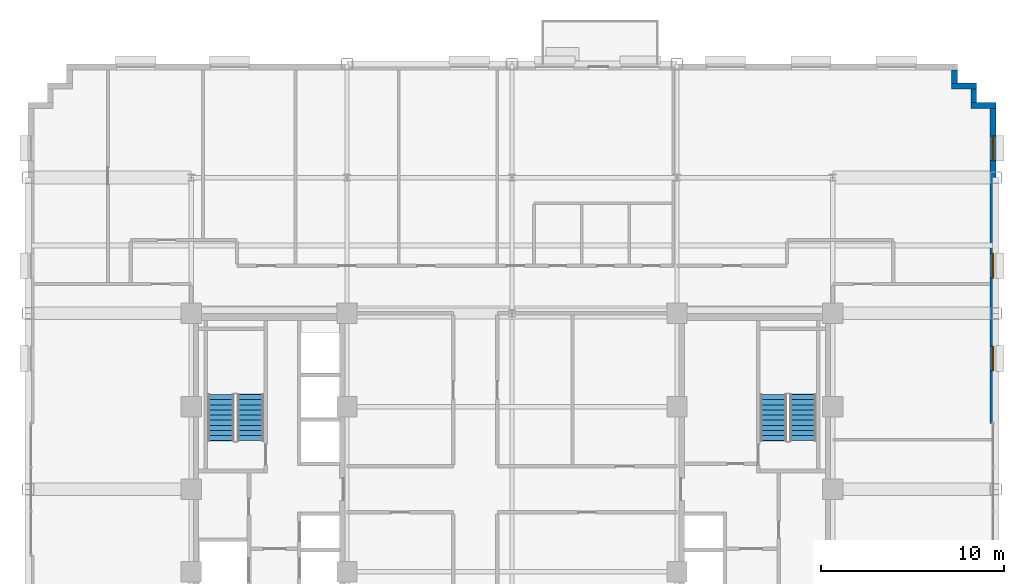
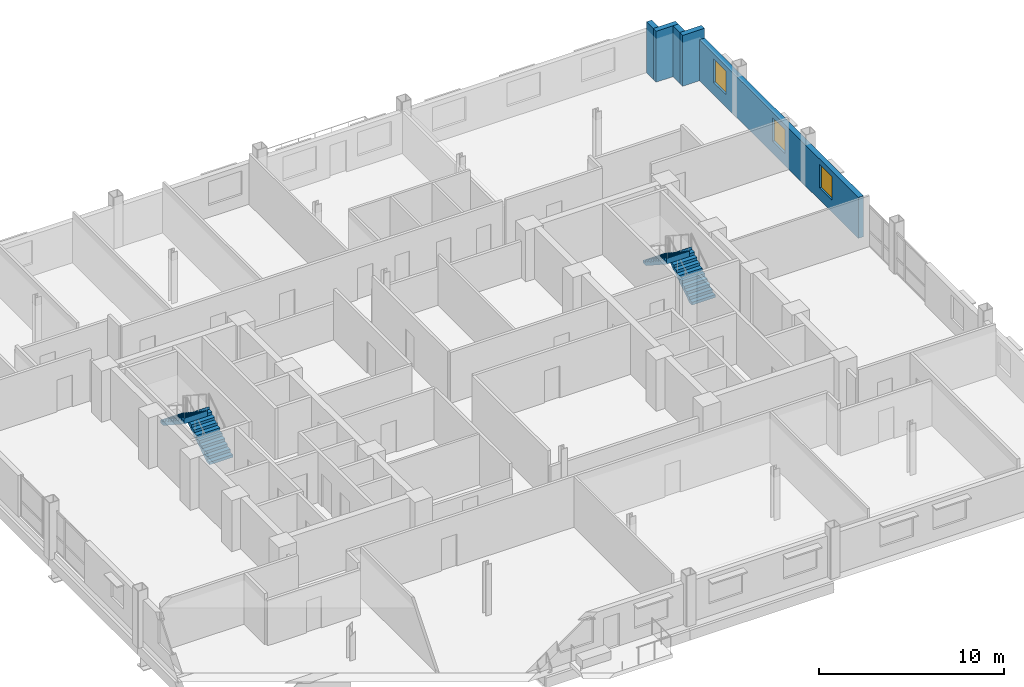
# One storey, part 10 of 16: 5 walls, 4 stair flights, 3 windows, 3 openings, 2 elements without a shape of their own.
"""IFC4 building model written with IfcOpenShell, lengths in metres."""

from ifc_helpers import new_model, si_unit, direction, frame, frame_2d, origin, place, context, subcontext, project, spatial, polyline, rectangle, outline, extrude, source, transform, mapped, material, layer, layer_set, type_object, type_shapes, element, fill, aggregate, save


model = new_model("IFC4")

# Units and contexts
model_context = context("Model", 3, precision=1e-05, world=origin(), true_north=direction((0.0, 1.0)))
body_context = subcontext(model_context, "Body", "Model", "MODEL_VIEW")
ifc_project = project(units=[si_unit("LENGTHUNIT", "METRE"), si_unit("AREAUNIT", "SQUARE_METRE"), si_unit("VOLUMEUNIT", "CUBIC_METRE"), si_unit("PLANEANGLEUNIT", "RADIAN"), si_unit("MASSUNIT", "GRAM", prefix="KILO")], contexts=[model_context])

# Site, building, storey
site_placement = place(None, origin())
site = spatial("IfcSite", under=ifc_project, at=site_placement, CompositionType="ELEMENT")
building_placement = place(site_placement, origin())
building = spatial("IfcBuilding", under=site, at=building_placement, Name="Nuvemarco Arch Tower", CompositionType="ELEMENT")
storey_placement = place(building_placement, frame((0.0, 0.0, 116.550048828125)))
storey = spatial("IfcBuildingStorey", under=building, at=storey_placement, Name="L30", CompositionType="ELEMENT", Elevation=116.550048828125)

# Wall, openings, windows
ifc_material_1 = material(Name="Precast concrete C45/55", Category="concrete")
ifc_layer = layer(ifc_material_1, 0.320068359375, Name="EW-MID-320")
ifc_layer_set = layer_set([ifc_layer], Name="Precast concrete C45/55")
wall_type = type_object("IfcWallType", Name="EW-MID-320", PredefinedType="STANDARD", material=ifc_layer_set)
wall_1_placement = place(storey_placement, frame((26.239990234375, 3.60009765625, 0.0), z_axis=(0.0, 0.0, 1.0), x_axis=(0.0, 1.0, 0.0)))
wall_1 = element("IfcWall", 1, at=wall_1_placement, inside=storey, type_object=wall_type, Name="L30 exterior precast pier wall east right", PredefinedType="STANDARD", context=body_context, shape_type="SweptSolid", body=[
    extrude(rectangle(XDim=17.183837890625, YDim=0.320068359375, at=frame_2d((8.591796875, 0.0))), origin(), (0.0, 0.0, 1.0), 2.704833984375),
])
opening_1_placement = place(wall_1_placement, frame((2.855712890625, 0.0, 0.800048828125)))
opening_1 = element("IfcOpeningElement", 2, at=opening_1_placement, cuts=wall_1, Name="Opening WN-6", PredefinedType="OPENING", context=body_context, shape_type="SweptSolid", body=[
    extrude(rectangle(XDim=1.35009765625, YDim=1.56005859375, at=frame_2d((0.675048828125, 0.780029296875))), frame((0.0, 0.169921875, 0.0), z_axis=(0.0, -1.0, 0.0), x_axis=(1.0, 0.0, 0.0)), (0.0, 0.0, 1.0), 0.340087890625),
])
opening_2_placement = place(wall_1_placement, frame((7.9169921875, 0.0, 0.800048828125)))
opening_2 = element("IfcOpeningElement", 3, at=opening_2_placement, cuts=wall_1, Name="Opening WN-6", PredefinedType="OPENING", context=body_context, shape_type="SweptSolid", body=[
    extrude(rectangle(XDim=1.35009765625, YDim=1.56005859375, at=frame_2d((0.675048828125, 0.780029296875))), frame((0.0, 0.169921875, 0.0), z_axis=(0.0, -1.0, 0.0), x_axis=(1.0, 0.0, 0.0)), (0.0, 0.0, 1.0), 0.340087890625),
])
opening_3_placement = place(wall_1_placement, frame((14.328369140625, 0.0, 0.800048828125)))
opening_3 = element("IfcOpeningElement", 4, at=opening_3_placement, cuts=wall_1, Name="Opening WN-6", PredefinedType="OPENING", context=body_context, shape_type="SweptSolid", body=[
    extrude(rectangle(XDim=1.35009765625, YDim=1.56005859375, at=frame_2d((0.675048828125, 0.780029296875))), frame((0.0, 0.169921875, 0.0), z_axis=(0.0, -1.0, 0.0), x_axis=(1.0, 0.0, 0.0)), (0.0, 0.0, 1.0), 0.340087890625),
])
ifc_material_2 = material(Name="Insulated solar-control glass", Category="glass")
window_type = type_object("IfcWindowType", Name="WN-MID-1350x1560", PartitioningType="SINGLE_PANEL", PredefinedType="WINDOW", material=ifc_material_2)
shared_shape = source(origin(), body_context, "Body", "SweptSolid", [
    extrude(rectangle(XDim=1.35009765625, YDim=1.56005859375, at=frame_2d((0.675048828125, 0.780029296875))), frame((0.0, 0.030029296875, 0.0), z_axis=(0.0, -1.0, 0.0), x_axis=(1.0, 0.0, 0.0)), (0.0, 0.0, 1.0), 0.06005859375),
])
type_shapes(window_type, [shared_shape])
window_1_placement = place(opening_1_placement, origin())
window_1 = element("IfcWindow", 5, at=window_1_placement, inside=storey, type_object=window_type, Name="L30 punched facade window 1", OverallHeight=1.56005859375, OverallWidth=1.35009765625, PartitioningType="SINGLE_PANEL", PredefinedType="WINDOW", context=body_context, shape_type="MappedRepresentation", body=[
    mapped(shared_shape, transform((0.0, 0.0, 0.0), scale=1.0)),
])
fill(opening_1, window_1)
window_2_placement = place(opening_2_placement, origin())
window_2 = element("IfcWindow", 6, at=window_2_placement, inside=storey, type_object=window_type, Name="L30 punched facade window 2", OverallHeight=1.56005859375, OverallWidth=1.35009765625, PartitioningType="SINGLE_PANEL", PredefinedType="WINDOW", context=body_context, shape_type="MappedRepresentation", body=[
    mapped(shared_shape, transform((0.0, 0.0, 0.0), scale=1.0)),
])
fill(opening_2, window_2)
window_3_placement = place(opening_3_placement, origin())
window_3 = element("IfcWindow", 7, at=window_3_placement, inside=storey, type_object=window_type, Name="L30 punched facade window 3", OverallHeight=1.56005859375, OverallWidth=1.35009765625, PartitioningType="SINGLE_PANEL", PredefinedType="WINDOW", context=body_context, shape_type="MappedRepresentation", body=[
    mapped(shared_shape, transform((0.0, 0.0, 0.0), scale=1.0)),
])
fill(opening_3, window_3)

# Walls
wall_2_placement = place(storey_placement, frame((25.030029296875, 20.93994140625, 0.0), z_axis=(0.0, 0.0, 1.0), x_axis=(1.0, 0.0, 0.0)))
element("IfcWall", 8, at=wall_2_placement, inside=storey, type_object=wall_type, Name="L30 exterior precast facade wall 7", PredefinedType="STANDARD", context=body_context, shape_type="SweptSolid", body=[
    extrude(rectangle(XDim=1.369873046875, YDim=0.320068359375, at=frame_2d((0.68505859375, 0.0))), origin(), (0.0, 0.0, 1.0), 3.35986328125),
])
wall_3_placement = place(storey_placement, frame((25.18994140625, 21.095947265625, 0.0), z_axis=(0.0, 0.0, 1.0), x_axis=(0.0, 1.0, 0.0)))
element("IfcWall", 9, at=wall_3_placement, inside=storey, type_object=wall_type, Name="L30 exterior precast facade wall 8", PredefinedType="STANDARD", context=body_context, shape_type="SweptSolid", body=[
    extrude(rectangle(XDim=0.738037109375, YDim=0.320068359375, at=frame_2d((0.369140625, 0.0))), origin(), (0.0, 0.0, 1.0), 3.35986328125),
])
wall_4_placement = place(storey_placement, frame((23.97998046875, 21.989990234375, 0.0), z_axis=(0.0, 0.0, 1.0), x_axis=(1.0, 0.0, 0.0)))
element("IfcWall", 10, at=wall_4_placement, inside=storey, type_object=wall_type, Name="L30 exterior precast facade wall 9", PredefinedType="STANDARD", context=body_context, shape_type="SweptSolid", body=[
    extrude(rectangle(XDim=1.3701171875, YDim=0.320068359375, at=frame_2d((0.68505859375, 0.0))), origin(), (0.0, 0.0, 1.0), 3.35986328125),
])
wall_5_placement = place(storey_placement, frame((24.139892578125, 22.14599609375, 0.0), z_axis=(0.0, 0.0, 1.0), x_axis=(0.0, 1.0, 0.0)))
element("IfcWall", 11, at=wall_5_placement, inside=storey, type_object=wall_type, Name="L30 exterior precast facade wall 10", PredefinedType="STANDARD", context=body_context, shape_type="SweptSolid", body=[
    extrude(rectangle(XDim=0.738037109375, YDim=0.320068359375, at=frame_2d((0.369140625, 0.0))), origin(), (0.0, 0.0, 1.0), 3.35986328125),
])

# Stair, stair flights
stair_type = type_object("IfcStairType", Name="ST-CORE-20R", PredefinedType="HALF_TURN_STAIR", material=ifc_material_1)
stair_1_placement = place(storey_placement, origin())
stair_1 = element("IfcStair", 12, at=stair_1_placement, inside=storey, type_object=stair_type, Name="L30 Protected Exit Stair ST-1", PredefinedType="HALF_TURN_STAIR")
stair_flight_type = type_object("IfcStairFlightType", Name="SF-CORE-20R", PredefinedType="STRAIGHT", material=ifc_material_1)
stair_flight_1_placement = place(storey_placement, frame((-14.264892578125, 2.64990234375, 0.0), z_axis=(0.0, 0.0, 1.0), x_axis=(0.0, 1.0, 0.0)))
stair_flight_1 = element("IfcStairFlight", 13, at=stair_flight_1_placement, type_object=stair_flight_type, Name="ST-20R flight 1", NumberOfRisers=10, NumberOfTreads=9, PredefinedType="STRAIGHT", RiserHeight=0.1825, TreadLength=0.28, context=body_context, shape_type="SweptSolid", body=[
    extrude(outline(polyline([(0.0, 0.0), (0.0, 0.1826171875), (0.280029296875, 0.1826171875), (0.280029296875, 0.364990234375), (0.56005859375, 0.364990234375), (0.56005859375, 0.547607421875), (0.840087890625, 0.547607421875), (0.840087890625, 0.72998046875), (1.1201171875, 0.72998046875), (1.1201171875, 0.91259765625), (1.39990234375, 0.91259765625), (1.39990234375, 1.094970703125), (1.679931640625, 1.094970703125), (1.679931640625, 1.277587890625), (1.9599609375, 1.277587890625), (1.9599609375, 1.4599609375), (2.239990234375, 1.4599609375), (2.239990234375, 1.642578125), (2.52001953125, 1.642578125), (2.52001953125, 1.824951171875), (2.5400390625, 1.824951171875), (2.5400390625, 1.45166015625), (0.312744140625, 0.0), (0.0, 0.0)])), frame((0.0, 0.72509765625, 0.0), z_axis=(0.0, -1.0, 0.0), x_axis=(1.0, 0.0, 0.0)), (0.0, 0.0, 1.0), 1.449951171875),
])
stair_flight_2_placement = place(storey_placement, frame((-15.875, 5.169921875, 1.824951171875), z_axis=(0.0, 0.0, 1.0), x_axis=(0.0, -1.0, 0.0)))
stair_flight_2 = element("IfcStairFlight", 14, at=stair_flight_2_placement, type_object=stair_flight_type, Name="ST-20R flight 2", NumberOfRisers=10, NumberOfTreads=9, PredefinedType="STRAIGHT", RiserHeight=0.1825, TreadLength=0.28, context=body_context, shape_type="SweptSolid", body=[
    extrude(outline(polyline([(0.0, 0.0), (0.0, 0.1826171875), (0.280029296875, 0.1826171875), (0.280029296875, 0.364990234375), (0.56005859375, 0.364990234375), (0.56005859375, 0.547607421875), (0.840087890625, 0.547607421875), (0.840087890625, 0.72998046875), (1.1201171875, 0.72998046875), (1.1201171875, 0.91259765625), (1.39990234375, 0.91259765625), (1.39990234375, 1.094970703125), (1.679931640625, 1.094970703125), (1.679931640625, 1.277587890625), (1.9599609375, 1.277587890625), (1.9599609375, 1.4599609375), (2.239990234375, 1.4599609375), (2.239990234375, 1.642578125), (2.52001953125, 1.642578125), (2.52001953125, 1.824951171875), (2.5400390625, 1.824951171875), (2.5400390625, 1.45166015625), (0.312744140625, 0.0), (0.0, 0.0)])), frame((0.0, 0.72509765625, 0.0), z_axis=(0.0, -1.0, 0.0), x_axis=(1.0, 0.0, 0.0)), (0.0, 0.0, 1.0), 1.449951171875),
])
aggregate(stair_1, [stair_flight_1, stair_flight_2])

stair_2_placement = place(storey_placement, origin())
stair_2 = element("IfcStair", 15, at=stair_2_placement, inside=storey, type_object=stair_type, Name="L30 Protected Exit Stair ST-2", PredefinedType="HALF_TURN_STAIR")
stair_flight_3_placement = place(storey_placement, frame((15.875, 2.64990234375, 0.0), z_axis=(0.0, 0.0, 1.0), x_axis=(0.0, 1.0, 0.0)))
stair_flight_3 = element("IfcStairFlight", 16, at=stair_flight_3_placement, type_object=stair_flight_type, Name="ST-20R flight 1", NumberOfRisers=10, NumberOfTreads=9, PredefinedType="STRAIGHT", RiserHeight=0.1825, TreadLength=0.28, context=body_context, shape_type="SweptSolid", body=[
    extrude(outline(polyline([(0.0, 0.0), (0.0, 0.1826171875), (0.280029296875, 0.1826171875), (0.280029296875, 0.364990234375), (0.56005859375, 0.364990234375), (0.56005859375, 0.547607421875), (0.840087890625, 0.547607421875), (0.840087890625, 0.72998046875), (1.1201171875, 0.72998046875), (1.1201171875, 0.91259765625), (1.39990234375, 0.91259765625), (1.39990234375, 1.094970703125), (1.679931640625, 1.094970703125), (1.679931640625, 1.277587890625), (1.9599609375, 1.277587890625), (1.9599609375, 1.4599609375), (2.239990234375, 1.4599609375), (2.239990234375, 1.642578125), (2.52001953125, 1.642578125), (2.52001953125, 1.824951171875), (2.5400390625, 1.824951171875), (2.5400390625, 1.45166015625), (0.312744140625, 0.0), (0.0, 0.0)])), frame((0.0, 0.72509765625, 0.0), z_axis=(0.0, -1.0, 0.0), x_axis=(1.0, 0.0, 0.0)), (0.0, 0.0, 1.0), 1.449951171875),
])
stair_flight_4_placement = place(storey_placement, frame((14.264892578125, 5.169921875, 1.824951171875), z_axis=(0.0, 0.0, 1.0), x_axis=(0.0, -1.0, 0.0)))
stair_flight_4 = element("IfcStairFlight", 17, at=stair_flight_4_placement, type_object=stair_flight_type, Name="ST-20R flight 2", NumberOfRisers=10, NumberOfTreads=9, PredefinedType="STRAIGHT", RiserHeight=0.1825, TreadLength=0.28, context=body_context, shape_type="SweptSolid", body=[
    extrude(outline(polyline([(0.0, 0.0), (0.0, 0.1826171875), (0.280029296875, 0.1826171875), (0.280029296875, 0.364990234375), (0.56005859375, 0.364990234375), (0.56005859375, 0.547607421875), (0.840087890625, 0.547607421875), (0.840087890625, 0.72998046875), (1.1201171875, 0.72998046875), (1.1201171875, 0.91259765625), (1.39990234375, 0.91259765625), (1.39990234375, 1.094970703125), (1.679931640625, 1.094970703125), (1.679931640625, 1.277587890625), (1.9599609375, 1.277587890625), (1.9599609375, 1.4599609375), (2.239990234375, 1.4599609375), (2.239990234375, 1.642578125), (2.52001953125, 1.642578125), (2.52001953125, 1.824951171875), (2.5400390625, 1.824951171875), (2.5400390625, 1.45166015625), (0.312744140625, 0.0), (0.0, 0.0)])), frame((0.0, 0.72509765625, 0.0), z_axis=(0.0, -1.0, 0.0), x_axis=(1.0, 0.0, 0.0)), (0.0, 0.0, 1.0), 1.449951171875),
])
aggregate(stair_2, [stair_flight_3, stair_flight_4])

save(model, "model.ifc")
